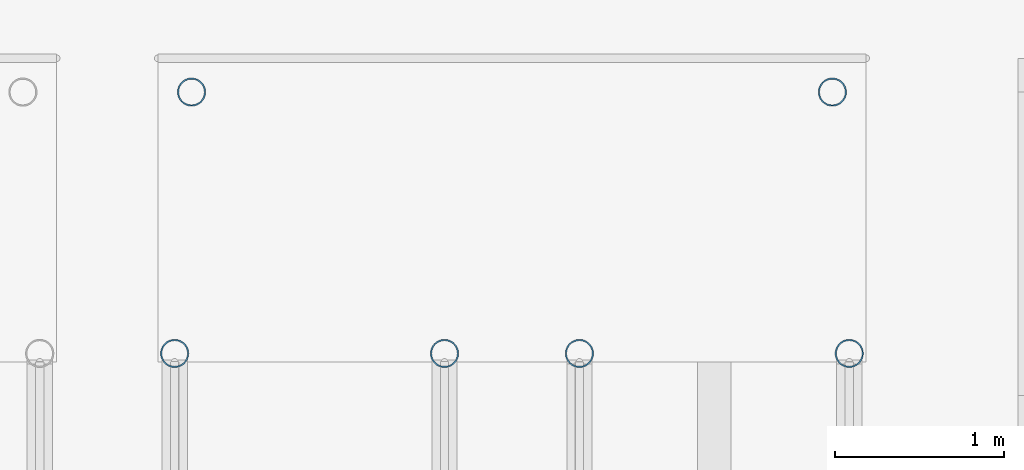
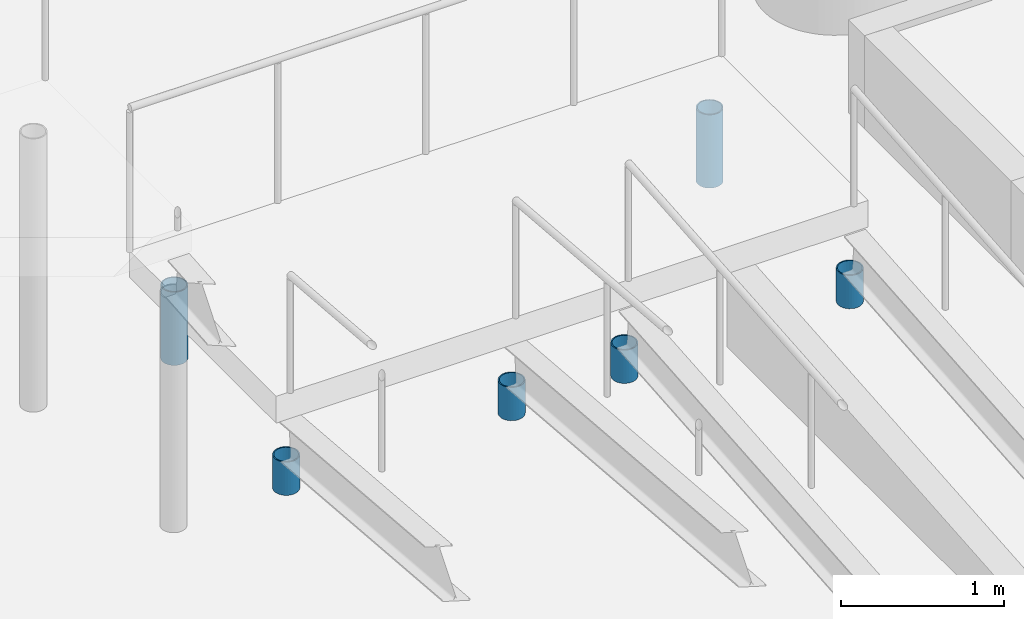
# One storey, part 35 of 108: 6 columns.
"""IFC4 building model written with IfcOpenShell, lengths in metres."""

from ifc_helpers import new_model, si_unit, direction, frame, origin, origin_2d, place, context, subcontext, project, spatial, hollow_circle, extrude, material, material_profile, profile_set, type_object, element, save


model = new_model("IFC4")

# Units and contexts
model_context = context("Model", 3, precision=1e-05, world=origin(), true_north=direction((0.0, 1.0)))
body_context = subcontext(model_context, "Body", "Model", "MODEL_VIEW")
ifc_project = project(units=[si_unit("LENGTHUNIT", "METRE"), si_unit("AREAUNIT", "SQUARE_METRE"), si_unit("VOLUMEUNIT", "CUBIC_METRE"), si_unit("PLANEANGLEUNIT", "RADIAN"), si_unit("MASSUNIT", "GRAM", prefix="KILO")], contexts=[model_context])

# Site, building, storey
site_placement = place(None, origin())
site = spatial("IfcSite", under=ifc_project, at=site_placement, CompositionType="ELEMENT")
building_placement = place(site_placement, origin())
building = spatial("IfcBuilding", under=site, at=building_placement, Name="Cresset Court Congress Hotel", CompositionType="ELEMENT")
storey_placement = place(building_placement, origin())
storey = spatial("IfcBuildingStorey", under=building, at=storey_placement, Name="L00", CompositionType="ELEMENT", Elevation=0.0)

# Columns
ifc_material = material(Name="Structural steel Q355B", Category="steel")
ifc_material_profile = material_profile(ifc_material, hollow_circle(Radius=0.083984375, WallThickness=0.008056640625, at=origin_2d()), Name="CHS168x8")
ifc_profile_set = profile_set([ifc_material_profile], Name="Structural steel Q355B")
column_type = type_object("IfcColumnType", Name="Canopy post CHS168x8", PredefinedType="COLUMN", material=ifc_profile_set)
for number, where, z_axis, x_axis, name in (
    (1, (115.10009765625, 54.39990234375, 0.0), (0.0, 0.0, 1.0), (1.0, 0.0, 0.0), "Ramp post 85"),
    (2, (118.89990234375, 54.39990234375, 0.0), (0.0, 0.0, 1.0), (1.0, 0.0, 0.0), "Ramp post 86"),
):
    element("IfcColumn", number, at=place(storey_placement, frame(where, z_axis=z_axis, x_axis=x_axis)), inside=storey, type_object=column_type, Name=name, PredefinedType="COLUMN", context=body_context, shape_type="SweptSolid", body=[
        extrude(hollow_circle(Radius=0.083984375, WallThickness=0.008056640625, at=origin_2d()), origin(), (0.0, 0.0, 1.0), 0.550048828125),
    ])
for number, where, z_axis, x_axis, name in (
    (3, (115.0, 52.85009765625, 0.0), (0.0, 0.0, 1.0), (1.0, 0.0, 0.0), "Ramp post 81"),
    (4, (116.60009765625, 52.85009765625, 0.0), (0.0, 0.0, 1.0), (1.0, 0.0, 0.0), "Ramp post 82"),
    (5, (117.39990234375, 52.85009765625, 0.0), (0.0, 0.0, 1.0), (1.0, 0.0, 0.0), "Ramp post 83"),
    (6, (119.0, 52.85009765625, 0.0), (0.0, 0.0, 1.0), (1.0, 0.0, 0.0), "Ramp post 84"),
):
    element("IfcColumn", number, at=place(storey_placement, frame(where, z_axis=z_axis, x_axis=x_axis)), inside=storey, type_object=column_type, Name=name, PredefinedType="COLUMN", context=body_context, shape_type="SweptSolid", body=[
        extrude(hollow_circle(Radius=0.083984375, WallThickness=0.008056640625, at=origin_2d()), origin(), (0.0, 0.0, 1.0), 0.25),
    ])

save(model, "model.ifc")
